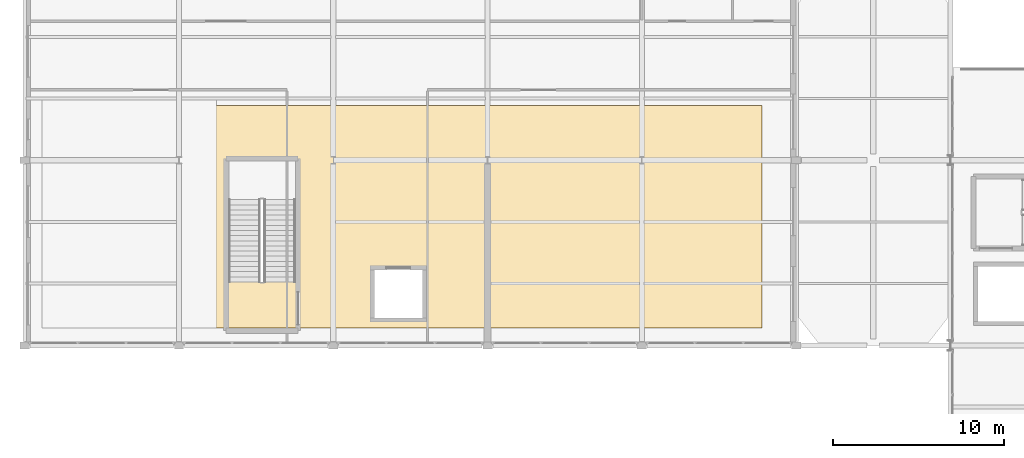
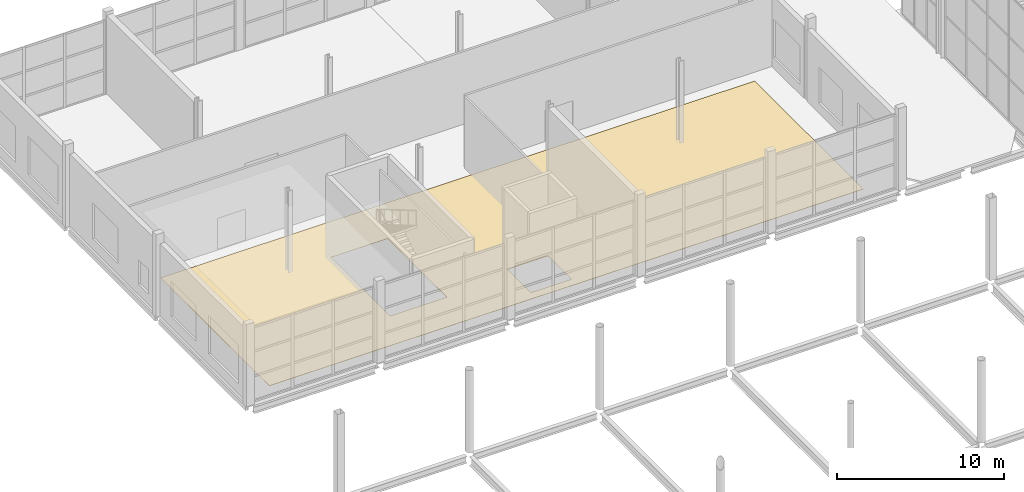
# One storey, part 182 of 191: 1 covering.
"""IFC4 building model written with IfcOpenShell, lengths in metres."""

from ifc_helpers import new_model, si_unit, direction, frame, origin, place, context, subcontext, project, spatial, polyline, outline, extrude, material, layer, layer_set, type_object, element, save


model = new_model("IFC4")

# Units and contexts
model_context = context("Model", 3, precision=1e-05, world=origin(), true_north=direction((0.0, 1.0)))
body_context = subcontext(model_context, "Body", "Model", "MODEL_VIEW")
ifc_project = project(units=[si_unit("LENGTHUNIT", "METRE"), si_unit("AREAUNIT", "SQUARE_METRE"), si_unit("VOLUMEUNIT", "CUBIC_METRE"), si_unit("PLANEANGLEUNIT", "RADIAN"), si_unit("MASSUNIT", "GRAM", prefix="KILO")], contexts=[model_context])

# Site, building, storey
site_placement = place(None, origin())
site = spatial("IfcSite", under=ifc_project, at=site_placement, CompositionType="ELEMENT")
building_placement = place(site_placement, origin())
building = spatial("IfcBuilding", under=site, at=building_placement, Name="Tamarisk Ironworks Central Station", CompositionType="ELEMENT")
storey_placement = place(building_placement, frame((0.0, 0.0, 6.60009765625)))
storey = spatial("IfcBuildingStorey", under=building, at=storey_placement, Name="L01", CompositionType="ELEMENT", Elevation=6.60009765625)

# Covering
ifc_material = material(Name="Granite tactile platform paving", Category="masonry")
ifc_layer = layer(ifc_material, 0.02001953125)
ifc_layer_set = layer_set([ifc_layer], Name="Granite tactile platform paving")
covering_type = type_object("IfcCoveringType", Name="COV-FLOOR-TC", PredefinedType="FLOORING", material=ifc_layer_set)
covering_placement = place(storey_placement, origin())
element("IfcCovering", 1, at=covering_placement, inside=storey, type_object=covering_type, Name="L01 granite/terrazzo floor finish 005", PredefinedType="FLOORING", context=body_context, shape_type="SweptSolid", body=[
    extrude(outline(polyline([(2.0, 91.0), (43.0, 91.0), (43.0, 104.0), (2.0, 104.0), (2.0, 91.0)]), holes=[polyline([(15.800048828125, 93.699951171875), (15.800048828125, 100.75), (11.89990234375, 100.75), (11.89990234375, 93.699951171875), (15.800048828125, 93.699951171875)]), polyline([(20.39990234375, 91.60009765625), (23.199951171875, 91.60009765625), (23.199951171875, 94.39990234375), (20.39990234375, 94.39990234375), (20.39990234375, 91.60009765625)])]), origin(), (0.0, 0.0, 1.0), 0.02001953125),
])

save(model, "model.ifc")
